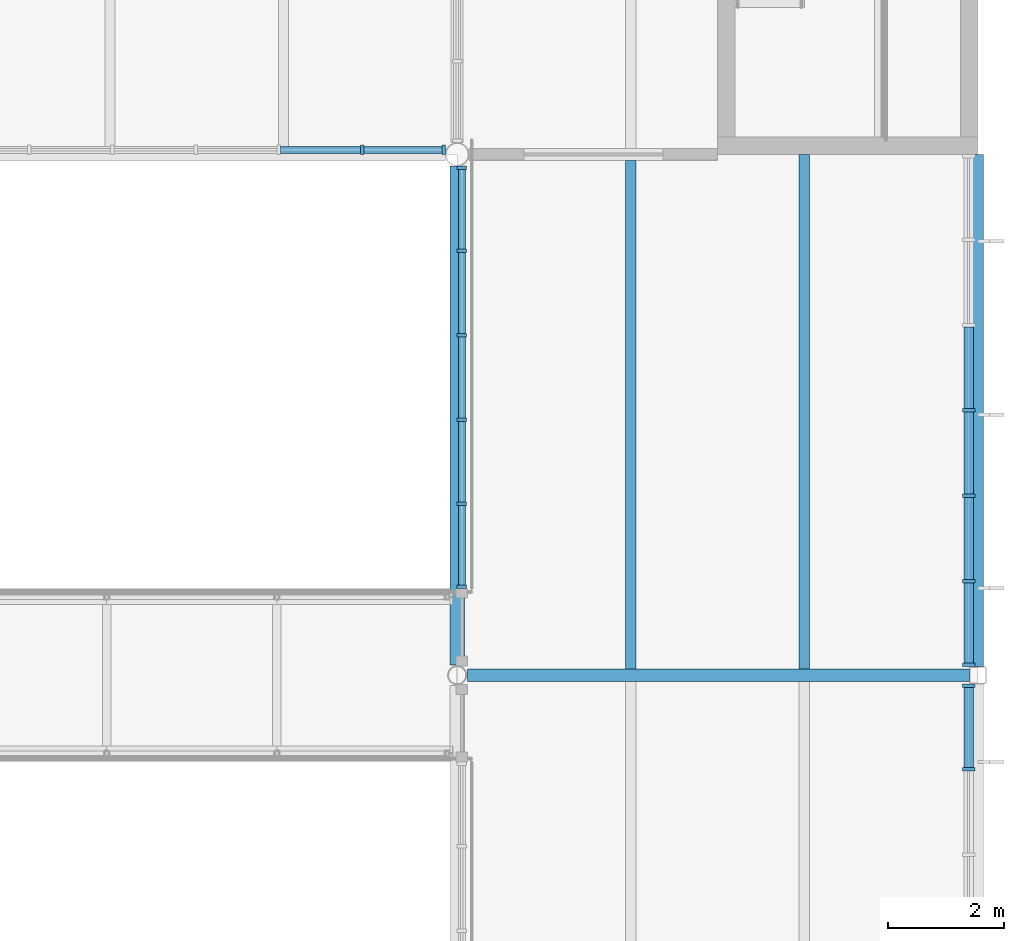
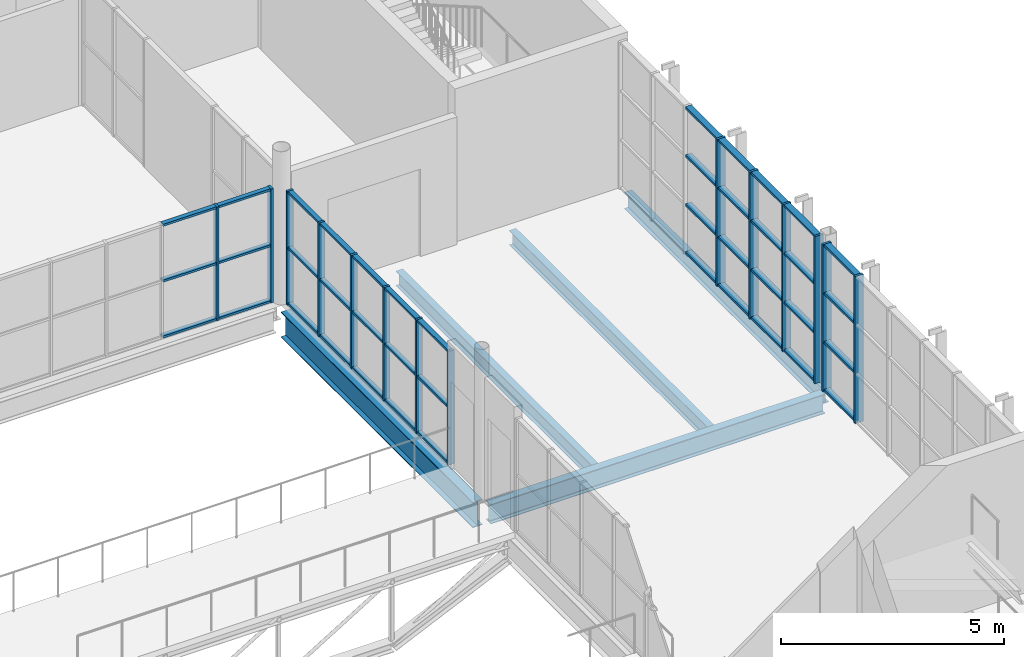
# One storey, part 26 of 61: 55 members, 5 beams, 4 elements without a shape of their own.
"""IFC4 building model written with IfcOpenShell, lengths in metres."""

from ifc_helpers import new_model, si_unit, direction, frame, origin, origin_2d, place, context, subcontext, project, spatial, rectangle, i_section, extrude, material, layer, layer_set, material_profile, profile_set, type_object, element, aggregate, save


model = new_model("IFC4")

# Units and contexts
model_context = context("Model", 3, precision=1e-05, world=origin(), true_north=direction((0.0, 1.0)))
body_context = subcontext(model_context, "Body", "Model", "MODEL_VIEW")
ifc_project = project(units=[si_unit("LENGTHUNIT", "METRE"), si_unit("AREAUNIT", "SQUARE_METRE"), si_unit("VOLUMEUNIT", "CUBIC_METRE"), si_unit("PLANEANGLEUNIT", "RADIAN"), si_unit("MASSUNIT", "GRAM", prefix="KILO")], contexts=[model_context])

# Site, building, storey
site_placement = place(None, origin())
site = spatial("IfcSite", under=ifc_project, at=site_placement, CompositionType="ELEMENT")
building_placement = place(site_placement, origin())
building = spatial("IfcBuilding", under=site, at=building_placement, Name="Halyard Row Museum", CompositionType="ELEMENT")
storey_placement = place(building_placement, frame((0.0, 0.0, 9.199951171875)))
storey = spatial("IfcBuildingStorey", under=building, at=storey_placement, Name="L02", CompositionType="ELEMENT", Elevation=9.199951171875)

# Beam
ifc_material_1 = material(Name="Steel Grade 300", Category="steel")
ifc_material_profile_1 = material_profile(ifc_material_1, i_section(OverallWidth=0.25, OverallDepth=0.699951171875, WebThickness=0.010009765625, FlangeThickness=0.02001953125, at=origin_2d()), Name="700WB130")
ifc_profile_set_1 = profile_set([ifc_material_profile_1], Name="Steel Grade 300")
beam_type_1 = type_object("IfcBeamType", Name="Bearing beam 700WB130", PredefinedType="BEAM", material=ifc_profile_set_1)
beam_1_placement = place(storey_placement, frame((99.0, 18.177734375, -0.514892578125), z_axis=(0.0, 1.0, 0.0), x_axis=(-1.0, 0.0, 0.0)))
element("IfcBeam", 1, at=beam_1_placement, inside=storey, type_object=beam_type_1, Name="Beam L02-079", PredefinedType="BEAM", context=body_context, shape_type="SweptSolid", body=[
    extrude(i_section(OverallWidth=0.25, OverallDepth=0.699951171875, WebThickness=0.010009765625, FlangeThickness=0.02001953125, at=origin_2d()), origin(), (0.0, 0.0, 1.0), 8.619140625),
])

# Curtain wall, members
ifc_material_2 = material(Name="Double glazed unit, low-emissivity", Category="glass")
ifc_layer_1 = layer(ifc_material_2, 0.219970703125)
ifc_layer_set_1 = layer_set([ifc_layer_1], Name="Double glazed unit, low-emissivity")
curtain_wall_type_1 = type_object("IfcCurtainWallType", Name="Curtain wall unitised 220 deep", PredefinedType="NOTDEFINED", material=ifc_layer_set_1)
curtain_wall_1_placement = place(storey_placement, origin())
curtain_wall_1 = element("IfcCurtainWall", 2, at=curtain_wall_1_placement, inside=storey, type_object=curtain_wall_type_1, Name="Curtain wall CW031", PredefinedType="NOTDEFINED")
ifc_material_3 = material(Name="Powder-coated aluminium section", Category="aluminium")
ifc_material_profile_2 = material_profile(ifc_material_3, rectangle(XDim=0.219970703125, YDim=0.06005859375, at=origin_2d()), Name="220x60 mullion")
ifc_profile_set_2 = profile_set([ifc_material_profile_2], Name="Powder-coated aluminium section")
member_type_1 = type_object("IfcMemberType", Name="Curtain wall mullion CM3 60 x 220", PredefinedType="MULLION", material=ifc_profile_set_2)
member_1_placement = place(storey_placement, frame((107.840087890625, 16.375, 0.0), z_axis=(0.0, 0.0, 1.0), x_axis=(-1.0, 0.0, 0.0)))
member_1 = element("IfcMember", 3, at=member_1_placement, type_object=member_type_1, Name="CW031 mullion 6", PredefinedType="MULLION", context=body_context, shape_type="SweptSolid", body=[
    extrude(rectangle(XDim=0.219970703125, YDim=0.06005859375, at=origin_2d()), origin(), (0.0, 0.0, 1.0), 4.03515625),
])
member_2_placement = place(storey_placement, frame((107.840087890625, 17.820068359375, 0.0), z_axis=(0.0, 0.0, 1.0), x_axis=(-1.0, 0.0, 0.0)))
member_2 = element("IfcMember", 4, at=member_2_placement, type_object=member_type_1, Name="CW031 mullion 7", PredefinedType="MULLION", context=body_context, shape_type="SweptSolid", body=[
    extrude(rectangle(XDim=0.219970703125, YDim=0.06005859375, at=origin_2d()), origin(), (0.0, 0.0, 1.0), 4.03515625),
])

curtain_wall_2_placement = place(storey_placement, origin())
curtain_wall_2 = element("IfcCurtainWall", 5, at=curtain_wall_2_placement, inside=storey, type_object=curtain_wall_type_1, Name="Curtain wall CW032", PredefinedType="NOTDEFINED")
member_3_placement = place(storey_placement, frame((107.840087890625, 18.179931640625, 0.0), z_axis=(0.0, 0.0, 1.0), x_axis=(-1.0, 0.0, 0.0)))
member_3 = element("IfcMember", 6, at=member_3_placement, type_object=member_type_1, Name="CW032 mullion 1", PredefinedType="MULLION", context=body_context, shape_type="SweptSolid", body=[
    extrude(rectangle(XDim=0.219970703125, YDim=0.06005859375, at=origin_2d()), origin(), (0.0, 0.0, 1.0), 4.03515625),
])
member_4_placement = place(storey_placement, frame((107.840087890625, 19.625, 0.0), z_axis=(0.0, 0.0, 1.0), x_axis=(-1.0, 0.0, 0.0)))
member_4 = element("IfcMember", 7, at=member_4_placement, type_object=member_type_1, Name="CW032 mullion 2", PredefinedType="MULLION", context=body_context, shape_type="SweptSolid", body=[
    extrude(rectangle(XDim=0.219970703125, YDim=0.06005859375, at=origin_2d()), origin(), (0.0, 0.0, 1.0), 4.03515625),
])
member_5_placement = place(storey_placement, frame((107.840087890625, 21.10009765625, 0.0), z_axis=(0.0, 0.0, 1.0), x_axis=(-1.0, 0.0, 0.0)))
member_5 = element("IfcMember", 8, at=member_5_placement, type_object=member_type_1, Name="CW032 mullion 3", PredefinedType="MULLION", context=body_context, shape_type="SweptSolid", body=[
    extrude(rectangle(XDim=0.219970703125, YDim=0.06005859375, at=origin_2d()), origin(), (0.0, 0.0, 1.0), 4.03515625),
])
member_6_placement = place(storey_placement, frame((107.840087890625, 22.574951171875, 0.0), z_axis=(0.0, 0.0, 1.0), x_axis=(-1.0, 0.0, 0.0)))
member_6 = element("IfcMember", 9, at=member_6_placement, type_object=member_type_1, Name="CW032 mullion 4", PredefinedType="MULLION", context=body_context, shape_type="SweptSolid", body=[
    extrude(rectangle(XDim=0.219970703125, YDim=0.06005859375, at=origin_2d()), origin(), (0.0, 0.0, 1.0), 4.03515625),
])

ifc_material_4 = material(Name="Fire-resisting laminated glazing", Category="glass")
ifc_layer_2 = layer(ifc_material_4, 0.159912109375)
ifc_layer_set_2 = layer_set([ifc_layer_2], Name="Fire-resisting laminated glazing")
curtain_wall_type_2 = type_object("IfcCurtainWallType", Name="Curtain wall atrium screen 160 deep", PredefinedType="NOTDEFINED", material=ifc_layer_set_2)
curtain_wall_3_placement = place(storey_placement, origin())
curtain_wall_3 = element("IfcCurtainWall", 10, at=curtain_wall_3_placement, inside=storey, type_object=curtain_wall_type_2, Name="Curtain wall CW088", PredefinedType="NOTDEFINED")
ifc_material_5 = material(Name="Powder-coated aluminium section", Category="aluminium")
ifc_material_profile_3 = material_profile(ifc_material_5, rectangle(XDim=0.159912109375, YDim=0.06005859375, at=origin_2d()), Name="160x60 mullion")
ifc_profile_set_3 = profile_set([ifc_material_profile_3], Name="Powder-coated aluminium section")
member_type_2 = type_object("IfcMemberType", Name="Curtain wall mullion CM5 60 x 160", PredefinedType="MULLION", material=ifc_profile_set_3)
member_7_placement = place(storey_placement, frame((99.080078125, 19.530029296875, 0.0), z_axis=(0.0, 0.0, 1.0), x_axis=(-1.0, 0.0, 0.0)))
member_7 = element("IfcMember", 11, at=member_7_placement, type_object=member_type_2, Name="CW088 mullion 1", PredefinedType="MULLION", context=body_context, shape_type="SweptSolid", body=[
    extrude(rectangle(XDim=0.159912109375, YDim=0.06005859375, at=origin_2d()), origin(), (0.0, 0.0, 1.0), 3.12451171875),
])
member_8_placement = place(storey_placement, frame((99.080078125, 20.95947265625, 0.0), z_axis=(0.0, 0.0, 1.0), x_axis=(-1.0, 0.0, 0.0)))
member_8 = element("IfcMember", 12, at=member_8_placement, type_object=member_type_2, Name="CW088 mullion 2", PredefinedType="MULLION", context=body_context, shape_type="SweptSolid", body=[
    extrude(rectangle(XDim=0.159912109375, YDim=0.06005859375, at=origin_2d()), origin(), (0.0, 0.0, 1.0), 3.12451171875),
])
member_9_placement = place(storey_placement, frame((99.080078125, 22.418701171875, 0.0), z_axis=(0.0, 0.0, 1.0), x_axis=(-1.0, 0.0, 0.0)))
member_9 = element("IfcMember", 13, at=member_9_placement, type_object=member_type_2, Name="CW088 mullion 3", PredefinedType="MULLION", context=body_context, shape_type="SweptSolid", body=[
    extrude(rectangle(XDim=0.159912109375, YDim=0.06005859375, at=origin_2d()), origin(), (0.0, 0.0, 1.0), 3.12451171875),
])
member_10_placement = place(storey_placement, frame((99.080078125, 23.878173828125, 0.0), z_axis=(0.0, 0.0, 1.0), x_axis=(-1.0, 0.0, 0.0)))
member_10 = element("IfcMember", 14, at=member_10_placement, type_object=member_type_2, Name="CW088 mullion 4", PredefinedType="MULLION", context=body_context, shape_type="SweptSolid", body=[
    extrude(rectangle(XDim=0.159912109375, YDim=0.06005859375, at=origin_2d()), origin(), (0.0, 0.0, 1.0), 3.12451171875),
])
member_11_placement = place(storey_placement, frame((99.080078125, 25.33740234375, 0.0), z_axis=(0.0, 0.0, 1.0), x_axis=(-1.0, 0.0, 0.0)))
member_11 = element("IfcMember", 15, at=member_11_placement, type_object=member_type_2, Name="CW088 mullion 5", PredefinedType="MULLION", context=body_context, shape_type="SweptSolid", body=[
    extrude(rectangle(XDim=0.159912109375, YDim=0.06005859375, at=origin_2d()), origin(), (0.0, 0.0, 1.0), 3.12451171875),
])
member_12_placement = place(storey_placement, frame((99.080078125, 26.766845703125, 0.0), z_axis=(0.0, 0.0, 1.0), x_axis=(-1.0, 0.0, 0.0)))
member_12 = element("IfcMember", 16, at=member_12_placement, type_object=member_type_2, Name="CW088 mullion 6", PredefinedType="MULLION", context=body_context, shape_type="SweptSolid", body=[
    extrude(rectangle(XDim=0.159912109375, YDim=0.06005859375, at=origin_2d()), origin(), (0.0, 0.0, 1.0), 3.12451171875),
])

curtain_wall_4_placement = place(storey_placement, origin())
curtain_wall_4 = element("IfcCurtainWall", 17, at=curtain_wall_4_placement, inside=storey, type_object=curtain_wall_type_2, Name="Curtain wall CW089", PredefinedType="NOTDEFINED")
member_13_placement = place(storey_placement, frame((98.766845703125, 27.080078125, 0.0), z_axis=(0.0, 0.0, 1.0), x_axis=(0.0, -1.0, 0.0)))
member_13 = element("IfcMember", 18, at=member_13_placement, type_object=member_type_2, Name="CW089 mullion 1", PredefinedType="MULLION", context=body_context, shape_type="SweptSolid", body=[
    extrude(rectangle(XDim=0.159912109375, YDim=0.06005859375, at=origin_2d()), origin(), (0.0, 0.0, 1.0), 3.12451171875),
])
member_14_placement = place(storey_placement, frame((97.357666015625, 27.080078125, 0.0), z_axis=(0.0, 0.0, 1.0), x_axis=(0.0, -1.0, 0.0)))
member_14 = element("IfcMember", 19, at=member_14_placement, type_object=member_type_2, Name="CW089 mullion 2", PredefinedType="MULLION", context=body_context, shape_type="SweptSolid", body=[
    extrude(rectangle(XDim=0.159912109375, YDim=0.06005859375, at=origin_2d()), origin(), (0.0, 0.0, 1.0), 3.12451171875),
])

# Member
ifc_material_6 = material(Name="Powder-coated aluminium section", Category="aluminium")
ifc_material_profile_4 = material_profile(ifc_material_6, rectangle(XDim=0.159912109375, YDim=0.06005859375, at=origin_2d()), Name="160x60 transom")
ifc_profile_set_4 = profile_set([ifc_material_profile_4], Name="Powder-coated aluminium section")
member_type_3 = type_object("IfcMemberType", Name="Curtain wall transom CT3 60 x 160", PredefinedType="USERDEFINED", material=ifc_profile_set_4)
member_15_placement = place(storey_placement, frame((107.840087890625, 16.405029296875, 0.030029296875), z_axis=(0.0, 1.0, 0.0), x_axis=(-1.0, 0.0, 0.0)))
member_15 = element("IfcMember", 20, at=member_15_placement, type_object=member_type_3, Name="CW031 transom 6.1", ObjectType="TRANSOM", PredefinedType="USERDEFINED", context=body_context, shape_type="SweptSolid", body=[
    extrude(rectangle(XDim=0.159912109375, YDim=0.06005859375, at=origin_2d()), origin(), (0.0, 0.0, 1.0), 1.385009765625),
])

member_16_placement = place(storey_placement, frame((107.840087890625, 16.405029296875, 1.344970703125), z_axis=(0.0, 1.0, 0.0), x_axis=(-1.0, 0.0, 0.0)))
member_16 = element("IfcMember", 21, at=member_16_placement, type_object=member_type_3, Name="CW031 transom 6.2", ObjectType="TRANSOM", PredefinedType="USERDEFINED", context=body_context, shape_type="SweptSolid", body=[
    extrude(rectangle(XDim=0.159912109375, YDim=0.06005859375, at=origin_2d()), origin(), (0.0, 0.0, 1.0), 1.385009765625),
])

member_17_placement = place(storey_placement, frame((107.840087890625, 16.405029296875, 2.68994140625), z_axis=(0.0, 1.0, 0.0), x_axis=(-1.0, 0.0, 0.0)))
member_17 = element("IfcMember", 22, at=member_17_placement, type_object=member_type_3, Name="CW031 transom 6.3", ObjectType="TRANSOM", PredefinedType="USERDEFINED", context=body_context, shape_type="SweptSolid", body=[
    extrude(rectangle(XDim=0.159912109375, YDim=0.06005859375, at=origin_2d()), origin(), (0.0, 0.0, 1.0), 1.385009765625),
])

member_18_placement = place(storey_placement, frame((107.840087890625, 16.405029296875, 4.005126953125), z_axis=(0.0, 1.0, 0.0), x_axis=(-1.0, 0.0, 0.0)))
member_18 = element("IfcMember", 23, at=member_18_placement, type_object=member_type_3, Name="CW031 transom 6.4", ObjectType="TRANSOM", PredefinedType="USERDEFINED", context=body_context, shape_type="SweptSolid", body=[
    extrude(rectangle(XDim=0.159912109375, YDim=0.06005859375, at=origin_2d()), origin(), (0.0, 0.0, 1.0), 1.385009765625),
])

aggregate(curtain_wall_1, [member_1, member_2, member_15, member_16, member_17, member_18])

member_19_placement = place(storey_placement, frame((107.840087890625, 18.2099609375, 0.030029296875), z_axis=(0.0, 1.0, 0.0), x_axis=(-1.0, 0.0, 0.0)))
member_19 = element("IfcMember", 24, at=member_19_placement, type_object=member_type_3, Name="CW032 transom 1.1", ObjectType="TRANSOM", PredefinedType="USERDEFINED", context=body_context, shape_type="SweptSolid", body=[
    extrude(rectangle(XDim=0.159912109375, YDim=0.06005859375, at=origin_2d()), origin(), (0.0, 0.0, 1.0), 1.385009765625),
])

member_20_placement = place(storey_placement, frame((107.840087890625, 18.2099609375, 1.344970703125), z_axis=(0.0, 1.0, 0.0), x_axis=(-1.0, 0.0, 0.0)))
member_20 = element("IfcMember", 25, at=member_20_placement, type_object=member_type_3, Name="CW032 transom 1.2", ObjectType="TRANSOM", PredefinedType="USERDEFINED", context=body_context, shape_type="SweptSolid", body=[
    extrude(rectangle(XDim=0.159912109375, YDim=0.06005859375, at=origin_2d()), origin(), (0.0, 0.0, 1.0), 1.385009765625),
])

member_21_placement = place(storey_placement, frame((107.840087890625, 18.2099609375, 2.68994140625), z_axis=(0.0, 1.0, 0.0), x_axis=(-1.0, 0.0, 0.0)))
member_21 = element("IfcMember", 26, at=member_21_placement, type_object=member_type_3, Name="CW032 transom 1.3", ObjectType="TRANSOM", PredefinedType="USERDEFINED", context=body_context, shape_type="SweptSolid", body=[
    extrude(rectangle(XDim=0.159912109375, YDim=0.06005859375, at=origin_2d()), origin(), (0.0, 0.0, 1.0), 1.385009765625),
])

member_22_placement = place(storey_placement, frame((107.840087890625, 18.2099609375, 4.005126953125), z_axis=(0.0, 1.0, 0.0), x_axis=(-1.0, 0.0, 0.0)))
member_22 = element("IfcMember", 27, at=member_22_placement, type_object=member_type_3, Name="CW032 transom 1.4", ObjectType="TRANSOM", PredefinedType="USERDEFINED", context=body_context, shape_type="SweptSolid", body=[
    extrude(rectangle(XDim=0.159912109375, YDim=0.06005859375, at=origin_2d()), origin(), (0.0, 0.0, 1.0), 1.385009765625),
])

member_23_placement = place(storey_placement, frame((107.840087890625, 19.655029296875, 0.030029296875), z_axis=(0.0, 1.0, 0.0), x_axis=(-1.0, 0.0, 0.0)))
member_23 = element("IfcMember", 28, at=member_23_placement, type_object=member_type_3, Name="CW032 transom 2.1", ObjectType="TRANSOM", PredefinedType="USERDEFINED", context=body_context, shape_type="SweptSolid", body=[
    extrude(rectangle(XDim=0.159912109375, YDim=0.06005859375, at=origin_2d()), origin(), (0.0, 0.0, 1.0), 1.4150390625),
])

member_24_placement = place(storey_placement, frame((107.840087890625, 19.655029296875, 1.344970703125), z_axis=(0.0, 1.0, 0.0), x_axis=(-1.0, 0.0, 0.0)))
member_24 = element("IfcMember", 29, at=member_24_placement, type_object=member_type_3, Name="CW032 transom 2.2", ObjectType="TRANSOM", PredefinedType="USERDEFINED", context=body_context, shape_type="SweptSolid", body=[
    extrude(rectangle(XDim=0.159912109375, YDim=0.06005859375, at=origin_2d()), origin(), (0.0, 0.0, 1.0), 1.4150390625),
])

member_25_placement = place(storey_placement, frame((107.840087890625, 19.655029296875, 2.68994140625), z_axis=(0.0, 1.0, 0.0), x_axis=(-1.0, 0.0, 0.0)))
member_25 = element("IfcMember", 30, at=member_25_placement, type_object=member_type_3, Name="CW032 transom 2.3", ObjectType="TRANSOM", PredefinedType="USERDEFINED", context=body_context, shape_type="SweptSolid", body=[
    extrude(rectangle(XDim=0.159912109375, YDim=0.06005859375, at=origin_2d()), origin(), (0.0, 0.0, 1.0), 1.4150390625),
])

member_26_placement = place(storey_placement, frame((107.840087890625, 19.655029296875, 4.005126953125), z_axis=(0.0, 1.0, 0.0), x_axis=(-1.0, 0.0, 0.0)))
member_26 = element("IfcMember", 31, at=member_26_placement, type_object=member_type_3, Name="CW032 transom 2.4", ObjectType="TRANSOM", PredefinedType="USERDEFINED", context=body_context, shape_type="SweptSolid", body=[
    extrude(rectangle(XDim=0.159912109375, YDim=0.06005859375, at=origin_2d()), origin(), (0.0, 0.0, 1.0), 1.4150390625),
])

member_27_placement = place(storey_placement, frame((107.840087890625, 21.1298828125, 0.030029296875), z_axis=(0.0, 1.0, 0.0), x_axis=(-1.0, 0.0, 0.0)))
member_27 = element("IfcMember", 32, at=member_27_placement, type_object=member_type_3, Name="CW032 transom 3.1", ObjectType="TRANSOM", PredefinedType="USERDEFINED", context=body_context, shape_type="SweptSolid", body=[
    extrude(rectangle(XDim=0.159912109375, YDim=0.06005859375, at=origin_2d()), origin(), (0.0, 0.0, 1.0), 1.4150390625),
])

member_28_placement = place(storey_placement, frame((107.840087890625, 21.1298828125, 1.344970703125), z_axis=(0.0, 1.0, 0.0), x_axis=(-1.0, 0.0, 0.0)))
member_28 = element("IfcMember", 33, at=member_28_placement, type_object=member_type_3, Name="CW032 transom 3.2", ObjectType="TRANSOM", PredefinedType="USERDEFINED", context=body_context, shape_type="SweptSolid", body=[
    extrude(rectangle(XDim=0.159912109375, YDim=0.06005859375, at=origin_2d()), origin(), (0.0, 0.0, 1.0), 1.4150390625),
])

member_29_placement = place(storey_placement, frame((107.840087890625, 21.1298828125, 2.68994140625), z_axis=(0.0, 1.0, 0.0), x_axis=(-1.0, 0.0, 0.0)))
member_29 = element("IfcMember", 34, at=member_29_placement, type_object=member_type_3, Name="CW032 transom 3.3", ObjectType="TRANSOM", PredefinedType="USERDEFINED", context=body_context, shape_type="SweptSolid", body=[
    extrude(rectangle(XDim=0.159912109375, YDim=0.06005859375, at=origin_2d()), origin(), (0.0, 0.0, 1.0), 1.4150390625),
])

member_30_placement = place(storey_placement, frame((107.840087890625, 21.1298828125, 4.005126953125), z_axis=(0.0, 1.0, 0.0), x_axis=(-1.0, 0.0, 0.0)))
member_30 = element("IfcMember", 35, at=member_30_placement, type_object=member_type_3, Name="CW032 transom 3.4", ObjectType="TRANSOM", PredefinedType="USERDEFINED", context=body_context, shape_type="SweptSolid", body=[
    extrude(rectangle(XDim=0.159912109375, YDim=0.06005859375, at=origin_2d()), origin(), (0.0, 0.0, 1.0), 1.4150390625),
])

member_31_placement = place(storey_placement, frame((107.840087890625, 22.60498046875, 0.030029296875), z_axis=(0.0, 1.0, 0.0), x_axis=(-1.0, 0.0, 0.0)))
member_31 = element("IfcMember", 36, at=member_31_placement, type_object=member_type_3, Name="CW032 transom 4.1", ObjectType="TRANSOM", PredefinedType="USERDEFINED", context=body_context, shape_type="SweptSolid", body=[
    extrude(rectangle(XDim=0.159912109375, YDim=0.06005859375, at=origin_2d()), origin(), (0.0, 0.0, 1.0), 1.4150390625),
])

member_32_placement = place(storey_placement, frame((107.840087890625, 22.60498046875, 1.344970703125), z_axis=(0.0, 1.0, 0.0), x_axis=(-1.0, 0.0, 0.0)))
member_32 = element("IfcMember", 37, at=member_32_placement, type_object=member_type_3, Name="CW032 transom 4.2", ObjectType="TRANSOM", PredefinedType="USERDEFINED", context=body_context, shape_type="SweptSolid", body=[
    extrude(rectangle(XDim=0.159912109375, YDim=0.06005859375, at=origin_2d()), origin(), (0.0, 0.0, 1.0), 1.4150390625),
])

member_33_placement = place(storey_placement, frame((107.840087890625, 22.60498046875, 2.68994140625), z_axis=(0.0, 1.0, 0.0), x_axis=(-1.0, 0.0, 0.0)))
member_33 = element("IfcMember", 38, at=member_33_placement, type_object=member_type_3, Name="CW032 transom 4.3", ObjectType="TRANSOM", PredefinedType="USERDEFINED", context=body_context, shape_type="SweptSolid", body=[
    extrude(rectangle(XDim=0.159912109375, YDim=0.06005859375, at=origin_2d()), origin(), (0.0, 0.0, 1.0), 1.4150390625),
])

member_34_placement = place(storey_placement, frame((107.840087890625, 22.60498046875, 4.005126953125), z_axis=(0.0, 1.0, 0.0), x_axis=(-1.0, 0.0, 0.0)))
member_34 = element("IfcMember", 39, at=member_34_placement, type_object=member_type_3, Name="CW032 transom 4.4", ObjectType="TRANSOM", PredefinedType="USERDEFINED", context=body_context, shape_type="SweptSolid", body=[
    extrude(rectangle(XDim=0.159912109375, YDim=0.06005859375, at=origin_2d()), origin(), (0.0, 0.0, 1.0), 1.4150390625),
])

aggregate(curtain_wall_2, [member_3, member_4, member_5, member_6, member_19, member_20, member_21, member_22, member_23, member_24, member_25, member_26, member_27, member_28, member_29, member_30, member_31, member_32, member_33, member_34])

ifc_material_7 = material(Name="Powder-coated aluminium section", Category="aluminium")
ifc_material_profile_5 = material_profile(ifc_material_7, rectangle(XDim=0.1201171875, YDim=0.06005859375, at=origin_2d()), Name="120x60 transom")
ifc_profile_set_5 = profile_set([ifc_material_profile_5], Name="Powder-coated aluminium section")
member_type_4 = type_object("IfcMemberType", Name="Curtain wall transom CT5 60 x 120", PredefinedType="USERDEFINED", material=ifc_profile_set_5)
member_35_placement = place(storey_placement, frame((99.080078125, 19.56005859375, 0.030029296875), z_axis=(0.0, 1.0, 0.0), x_axis=(-1.0, 0.0, 0.0)))
member_35 = element("IfcMember", 40, at=member_35_placement, type_object=member_type_4, Name="CW088 transom 1.1", ObjectType="TRANSOM", PredefinedType="USERDEFINED", context=body_context, shape_type="SweptSolid", body=[
    extrude(rectangle(XDim=0.1201171875, YDim=0.06005859375, at=origin_2d()), origin(), (0.0, 0.0, 1.0), 1.369384765625),
])

member_36_placement = place(storey_placement, frame((99.080078125, 19.56005859375, 1.562255859375), z_axis=(0.0, 1.0, 0.0), x_axis=(-1.0, 0.0, 0.0)))
member_36 = element("IfcMember", 41, at=member_36_placement, type_object=member_type_4, Name="CW088 transom 1.2", ObjectType="TRANSOM", PredefinedType="USERDEFINED", context=body_context, shape_type="SweptSolid", body=[
    extrude(rectangle(XDim=0.1201171875, YDim=0.06005859375, at=origin_2d()), origin(), (0.0, 0.0, 1.0), 1.369384765625),
])

member_37_placement = place(storey_placement, frame((99.080078125, 19.56005859375, 3.094482421875), z_axis=(0.0, 1.0, 0.0), x_axis=(-1.0, 0.0, 0.0)))
member_37 = element("IfcMember", 42, at=member_37_placement, type_object=member_type_4, Name="CW088 transom 1.3", ObjectType="TRANSOM", PredefinedType="USERDEFINED", context=body_context, shape_type="SweptSolid", body=[
    extrude(rectangle(XDim=0.1201171875, YDim=0.06005859375, at=origin_2d()), origin(), (0.0, 0.0, 1.0), 1.369384765625),
])

member_38_placement = place(storey_placement, frame((99.080078125, 20.9892578125, 0.030029296875), z_axis=(0.0, 1.0, 0.0), x_axis=(-1.0, 0.0, 0.0)))
member_38 = element("IfcMember", 43, at=member_38_placement, type_object=member_type_4, Name="CW088 transom 2.1", ObjectType="TRANSOM", PredefinedType="USERDEFINED", context=body_context, shape_type="SweptSolid", body=[
    extrude(rectangle(XDim=0.1201171875, YDim=0.06005859375, at=origin_2d()), origin(), (0.0, 0.0, 1.0), 1.3994140625),
])

member_39_placement = place(storey_placement, frame((99.080078125, 20.9892578125, 1.562255859375), z_axis=(0.0, 1.0, 0.0), x_axis=(-1.0, 0.0, 0.0)))
member_39 = element("IfcMember", 44, at=member_39_placement, type_object=member_type_4, Name="CW088 transom 2.2", ObjectType="TRANSOM", PredefinedType="USERDEFINED", context=body_context, shape_type="SweptSolid", body=[
    extrude(rectangle(XDim=0.1201171875, YDim=0.06005859375, at=origin_2d()), origin(), (0.0, 0.0, 1.0), 1.3994140625),
])

member_40_placement = place(storey_placement, frame((99.080078125, 20.9892578125, 3.094482421875), z_axis=(0.0, 1.0, 0.0), x_axis=(-1.0, 0.0, 0.0)))
member_40 = element("IfcMember", 45, at=member_40_placement, type_object=member_type_4, Name="CW088 transom 2.3", ObjectType="TRANSOM", PredefinedType="USERDEFINED", context=body_context, shape_type="SweptSolid", body=[
    extrude(rectangle(XDim=0.1201171875, YDim=0.06005859375, at=origin_2d()), origin(), (0.0, 0.0, 1.0), 1.3994140625),
])

member_41_placement = place(storey_placement, frame((99.080078125, 22.44873046875, 0.030029296875), z_axis=(0.0, 1.0, 0.0), x_axis=(-1.0, 0.0, 0.0)))
member_41 = element("IfcMember", 46, at=member_41_placement, type_object=member_type_4, Name="CW088 transom 3.1", ObjectType="TRANSOM", PredefinedType="USERDEFINED", context=body_context, shape_type="SweptSolid", body=[
    extrude(rectangle(XDim=0.1201171875, YDim=0.06005859375, at=origin_2d()), origin(), (0.0, 0.0, 1.0), 1.3994140625),
])

member_42_placement = place(storey_placement, frame((99.080078125, 22.44873046875, 1.562255859375), z_axis=(0.0, 1.0, 0.0), x_axis=(-1.0, 0.0, 0.0)))
member_42 = element("IfcMember", 47, at=member_42_placement, type_object=member_type_4, Name="CW088 transom 3.2", ObjectType="TRANSOM", PredefinedType="USERDEFINED", context=body_context, shape_type="SweptSolid", body=[
    extrude(rectangle(XDim=0.1201171875, YDim=0.06005859375, at=origin_2d()), origin(), (0.0, 0.0, 1.0), 1.3994140625),
])

member_43_placement = place(storey_placement, frame((99.080078125, 22.44873046875, 3.094482421875), z_axis=(0.0, 1.0, 0.0), x_axis=(-1.0, 0.0, 0.0)))
member_43 = element("IfcMember", 48, at=member_43_placement, type_object=member_type_4, Name="CW088 transom 3.3", ObjectType="TRANSOM", PredefinedType="USERDEFINED", context=body_context, shape_type="SweptSolid", body=[
    extrude(rectangle(XDim=0.1201171875, YDim=0.06005859375, at=origin_2d()), origin(), (0.0, 0.0, 1.0), 1.3994140625),
])

member_44_placement = place(storey_placement, frame((99.080078125, 23.907958984375, 0.030029296875), z_axis=(0.0, 1.0, 0.0), x_axis=(-1.0, 0.0, 0.0)))
member_44 = element("IfcMember", 49, at=member_44_placement, type_object=member_type_4, Name="CW088 transom 4.1", ObjectType="TRANSOM", PredefinedType="USERDEFINED", context=body_context, shape_type="SweptSolid", body=[
    extrude(rectangle(XDim=0.1201171875, YDim=0.06005859375, at=origin_2d()), origin(), (0.0, 0.0, 1.0), 1.3994140625),
])

member_45_placement = place(storey_placement, frame((99.080078125, 23.907958984375, 1.562255859375), z_axis=(0.0, 1.0, 0.0), x_axis=(-1.0, 0.0, 0.0)))
member_45 = element("IfcMember", 50, at=member_45_placement, type_object=member_type_4, Name="CW088 transom 4.2", ObjectType="TRANSOM", PredefinedType="USERDEFINED", context=body_context, shape_type="SweptSolid", body=[
    extrude(rectangle(XDim=0.1201171875, YDim=0.06005859375, at=origin_2d()), origin(), (0.0, 0.0, 1.0), 1.3994140625),
])

member_46_placement = place(storey_placement, frame((99.080078125, 23.907958984375, 3.094482421875), z_axis=(0.0, 1.0, 0.0), x_axis=(-1.0, 0.0, 0.0)))
member_46 = element("IfcMember", 51, at=member_46_placement, type_object=member_type_4, Name="CW088 transom 4.3", ObjectType="TRANSOM", PredefinedType="USERDEFINED", context=body_context, shape_type="SweptSolid", body=[
    extrude(rectangle(XDim=0.1201171875, YDim=0.06005859375, at=origin_2d()), origin(), (0.0, 0.0, 1.0), 1.3994140625),
])

member_47_placement = place(storey_placement, frame((99.080078125, 25.367431640625, 0.030029296875), z_axis=(0.0, 1.0, 0.0), x_axis=(-1.0, 0.0, 0.0)))
member_47 = element("IfcMember", 52, at=member_47_placement, type_object=member_type_4, Name="CW088 transom 5.1", ObjectType="TRANSOM", PredefinedType="USERDEFINED", context=body_context, shape_type="SweptSolid", body=[
    extrude(rectangle(XDim=0.1201171875, YDim=0.06005859375, at=origin_2d()), origin(), (0.0, 0.0, 1.0), 1.369384765625),
])

member_48_placement = place(storey_placement, frame((99.080078125, 25.367431640625, 1.562255859375), z_axis=(0.0, 1.0, 0.0), x_axis=(-1.0, 0.0, 0.0)))
member_48 = element("IfcMember", 53, at=member_48_placement, type_object=member_type_4, Name="CW088 transom 5.2", ObjectType="TRANSOM", PredefinedType="USERDEFINED", context=body_context, shape_type="SweptSolid", body=[
    extrude(rectangle(XDim=0.1201171875, YDim=0.06005859375, at=origin_2d()), origin(), (0.0, 0.0, 1.0), 1.369384765625),
])

member_49_placement = place(storey_placement, frame((99.080078125, 25.367431640625, 3.094482421875), z_axis=(0.0, 1.0, 0.0), x_axis=(-1.0, 0.0, 0.0)))
member_49 = element("IfcMember", 54, at=member_49_placement, type_object=member_type_4, Name="CW088 transom 5.3", ObjectType="TRANSOM", PredefinedType="USERDEFINED", context=body_context, shape_type="SweptSolid", body=[
    extrude(rectangle(XDim=0.1201171875, YDim=0.06005859375, at=origin_2d()), origin(), (0.0, 0.0, 1.0), 1.369384765625),
])

aggregate(curtain_wall_3, [member_7, member_8, member_9, member_10, member_11, member_12, member_35, member_36, member_37, member_38, member_39, member_40, member_41, member_42, member_43, member_44, member_45, member_46, member_47, member_48, member_49])

member_50_placement = place(storey_placement, frame((98.73681640625, 27.080078125, 0.030029296875), z_axis=(-1.0, 0.0, 0.0), x_axis=(0.0, -1.0, 0.0)))
member_50 = element("IfcMember", 55, at=member_50_placement, type_object=member_type_4, Name="CW089 transom 1.1", ObjectType="TRANSOM", PredefinedType="USERDEFINED", context=body_context, shape_type="SweptSolid", body=[
    extrude(rectangle(XDim=0.1201171875, YDim=0.06005859375, at=origin_2d()), origin(), (0.0, 0.0, 1.0), 1.34912109375),
])

member_51_placement = place(storey_placement, frame((98.73681640625, 27.080078125, 1.562255859375), z_axis=(-1.0, 0.0, 0.0), x_axis=(0.0, -1.0, 0.0)))
member_51 = element("IfcMember", 56, at=member_51_placement, type_object=member_type_4, Name="CW089 transom 1.2", ObjectType="TRANSOM", PredefinedType="USERDEFINED", context=body_context, shape_type="SweptSolid", body=[
    extrude(rectangle(XDim=0.1201171875, YDim=0.06005859375, at=origin_2d()), origin(), (0.0, 0.0, 1.0), 1.34912109375),
])

member_52_placement = place(storey_placement, frame((98.73681640625, 27.080078125, 3.094482421875), z_axis=(-1.0, 0.0, 0.0), x_axis=(0.0, -1.0, 0.0)))
member_52 = element("IfcMember", 57, at=member_52_placement, type_object=member_type_4, Name="CW089 transom 1.3", ObjectType="TRANSOM", PredefinedType="USERDEFINED", context=body_context, shape_type="SweptSolid", body=[
    extrude(rectangle(XDim=0.1201171875, YDim=0.06005859375, at=origin_2d()), origin(), (0.0, 0.0, 1.0), 1.34912109375),
])

member_53_placement = place(storey_placement, frame((97.32763671875, 27.080078125, 0.030029296875), z_axis=(-1.0, 0.0, 0.0), x_axis=(0.0, -1.0, 0.0)))
member_53 = element("IfcMember", 58, at=member_53_placement, type_object=member_type_4, Name="CW089 transom 2.1", ObjectType="TRANSOM", PredefinedType="USERDEFINED", context=body_context, shape_type="SweptSolid", body=[
    extrude(rectangle(XDim=0.1201171875, YDim=0.06005859375, at=origin_2d()), origin(), (0.0, 0.0, 1.0), 1.379150390625),
])

member_54_placement = place(storey_placement, frame((97.32763671875, 27.080078125, 1.562255859375), z_axis=(-1.0, 0.0, 0.0), x_axis=(0.0, -1.0, 0.0)))
member_54 = element("IfcMember", 59, at=member_54_placement, type_object=member_type_4, Name="CW089 transom 2.2", ObjectType="TRANSOM", PredefinedType="USERDEFINED", context=body_context, shape_type="SweptSolid", body=[
    extrude(rectangle(XDim=0.1201171875, YDim=0.06005859375, at=origin_2d()), origin(), (0.0, 0.0, 1.0), 1.379150390625),
])

member_55_placement = place(storey_placement, frame((97.32763671875, 27.080078125, 3.094482421875), z_axis=(-1.0, 0.0, 0.0), x_axis=(0.0, -1.0, 0.0)))
member_55 = element("IfcMember", 60, at=member_55_placement, type_object=member_type_4, Name="CW089 transom 2.3", ObjectType="TRANSOM", PredefinedType="USERDEFINED", context=body_context, shape_type="SweptSolid", body=[
    extrude(rectangle(XDim=0.1201171875, YDim=0.06005859375, at=origin_2d()), origin(), (0.0, 0.0, 1.0), 1.379150390625),
])

aggregate(curtain_wall_4, [member_13, member_14, member_50, member_51, member_52, member_53, member_54, member_55])

# Beams
ifc_material_8 = material(Name="Steel Grade 300", Category="steel")
ifc_material_profile_6 = material_profile(ifc_material_8, i_section(OverallWidth=0.18994140625, OverallDepth=0.45751953125, WebThickness=0.009033203125, FlangeThickness=0.014404296875, FilletRadius=0.011474609375, at=origin_2d()), Name="460UB74.6")
ifc_profile_set_6 = profile_set([ifc_material_profile_6], Name="Steel Grade 300")
beam_type_2 = type_object("IfcBeamType", Name="Edge beam 460UB74.6", PredefinedType="BEAM", material=ifc_profile_set_6)
beam_2_placement = place(storey_placement, frame((108.0, 18.14990234375, -0.3935546875), z_axis=(0.0, 1.0, 0.0), x_axis=(-1.0, 0.0, 0.0)))
element("IfcBeam", 61, at=beam_2_placement, inside=storey, type_object=beam_type_2, Name="Beam L02-084", PredefinedType="BEAM", context=body_context, shape_type="SweptSolid", body=[
    extrude(i_section(OverallWidth=0.18994140625, OverallDepth=0.45751953125, WebThickness=0.009033203125, FlangeThickness=0.014404296875, FilletRadius=0.011474609375, at=origin_2d()), origin(), (0.0, 0.0, 1.0), 8.85009765625),
])
ifc_material_9 = material(Name="Steel Grade 300", Category="steel")
ifc_material_profile_7 = material_profile(ifc_material_9, i_section(OverallWidth=0.208984375, OverallDepth=0.532958984375, WebThickness=0.01025390625, FlangeThickness=0.015625, FilletRadius=0.013916015625, at=origin_2d()), Name="530UB92.4")
ifc_profile_set_7 = profile_set([ifc_material_profile_7], Name="Steel Grade 300")
beam_type_3 = type_object("IfcBeamType", Name="Girder beam 530UB92.4", PredefinedType="BEAM", material=ifc_profile_set_7)
beam_3_placement = place(storey_placement, frame((99.177734375, 18.0, -0.431396484375), z_axis=(1.0, 0.0, 0.0), x_axis=(0.0, 1.0, 0.0)))
element("IfcBeam", 62, at=beam_3_placement, inside=storey, type_object=beam_type_3, Name="Beam L02-016", PredefinedType="BEAM", context=body_context, shape_type="SweptSolid", body=[
    extrude(i_section(OverallWidth=0.208984375, OverallDepth=0.532958984375, WebThickness=0.01025390625, FlangeThickness=0.015625, FilletRadius=0.013916015625, at=origin_2d()), origin(), (0.0, 0.0, 1.0), 8.67236328125),
])
ifc_material_10 = material(Name="Steel Grade 300", Category="steel")
ifc_material_profile_8 = material_profile(ifc_material_10, i_section(OverallWidth=0.177978515625, OverallDepth=0.406494140625, WebThickness=0.0078125, FlangeThickness=0.0126953125, FilletRadius=0.011474609375, at=origin_2d()), Name="410UB59.7")
ifc_profile_set_8 = profile_set([ifc_material_profile_8], Name="Steel Grade 300")
beam_type_4 = type_object("IfcBeamType", Name="Secondary beam 410UB59.7", PredefinedType="BEAM", material=ifc_profile_set_8)
beam_4_placement = place(storey_placement, frame((102.0, 18.1044921875, -0.3681640625), z_axis=(0.0, 1.0, 0.0), x_axis=(-1.0, 0.0, 0.0)))
element("IfcBeam", 63, at=beam_4_placement, inside=storey, type_object=beam_type_4, Name="Beam L02-111", PredefinedType="BEAM", context=body_context, shape_type="SweptSolid", body=[
    extrude(i_section(OverallWidth=0.177978515625, OverallDepth=0.406494140625, WebThickness=0.0078125, FlangeThickness=0.0126953125, FilletRadius=0.011474609375, at=origin_2d()), origin(), (0.0, 0.0, 1.0), 8.791015625),
])
beam_5_placement = place(storey_placement, frame((105.0, 18.1044921875, -0.3681640625), z_axis=(0.0, 1.0, 0.0), x_axis=(-1.0, 0.0, 0.0)))
element("IfcBeam", 64, at=beam_5_placement, inside=storey, type_object=beam_type_4, Name="Beam L02-112", PredefinedType="BEAM", context=body_context, shape_type="SweptSolid", body=[
    extrude(i_section(OverallWidth=0.177978515625, OverallDepth=0.406494140625, WebThickness=0.0078125, FlangeThickness=0.0126953125, FilletRadius=0.011474609375, at=origin_2d()), origin(), (0.0, 0.0, 1.0), 8.8955078125),
])

save(model, "model.ifc")
